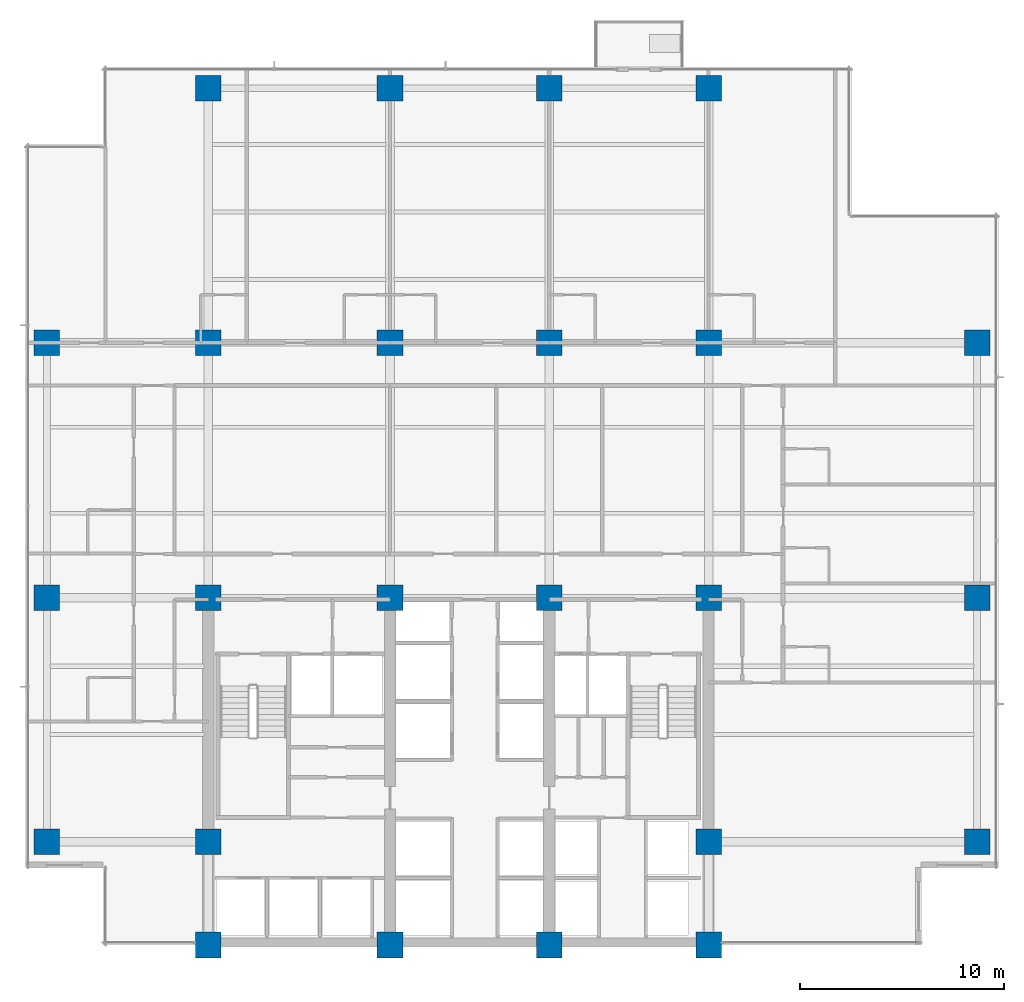
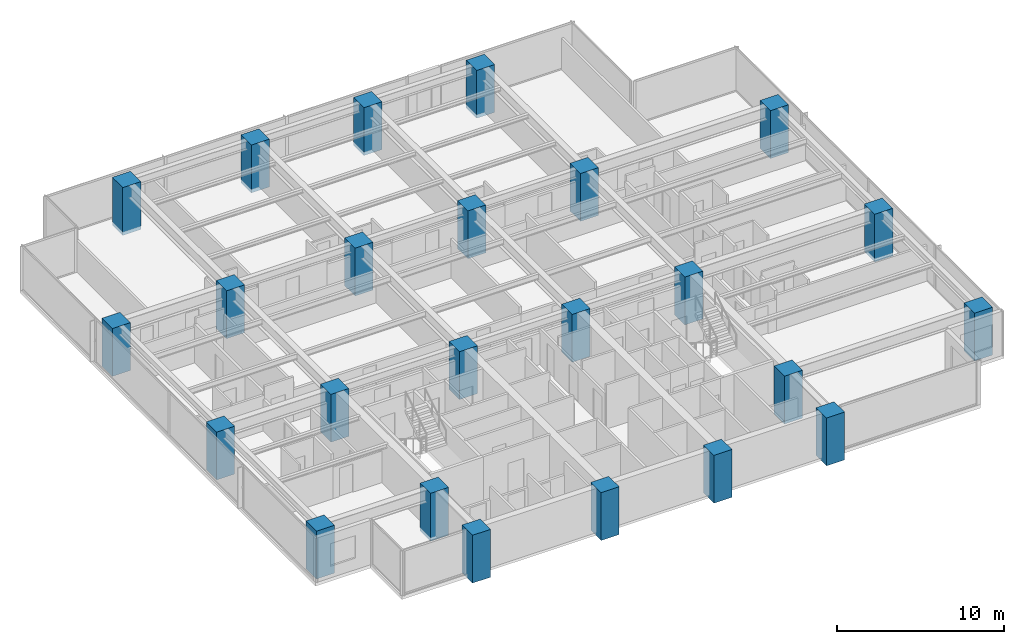
# One storey, part 1 of 17: 24 columns.
"""IFC4 building model written with IfcOpenShell, lengths in metres."""

from ifc_helpers import new_model, si_unit, direction, frame, origin, origin_2d, place, context, subcontext, project, spatial, rectangle, extrude, material, material_profile, profile_set, type_object, element, save


model = new_model("IFC4")

# Units and contexts
model_context = context("Model", 3, precision=1e-05, world=origin(), true_north=direction((0.0, 1.0)))
body_context = subcontext(model_context, "Body", "Model", "MODEL_VIEW")
ifc_project = project(units=[si_unit("LENGTHUNIT", "METRE"), si_unit("AREAUNIT", "SQUARE_METRE"), si_unit("VOLUMEUNIT", "CUBIC_METRE"), si_unit("PLANEANGLEUNIT", "RADIAN"), si_unit("MASSUNIT", "GRAM", prefix="KILO")], contexts=[model_context])

# Site, building, storey
site_placement = place(None, origin())
site = spatial("IfcSite", under=ifc_project, at=site_placement, CompositionType="ELEMENT")
building_placement = place(site_placement, origin())
building = spatial("IfcBuilding", under=site, at=building_placement, Name="Qalmaran Belvedere Hotel", CompositionType="ELEMENT")
storey_placement = place(building_placement, frame((0.0, 0.0, 88.199951171875)))
storey = spatial("IfcBuildingStorey", under=building, at=storey_placement, Name="L21", CompositionType="ELEMENT", Elevation=88.199951171875)

# Columns
ifc_material = material(Name="Concrete C60/75", Category="concrete")
ifc_material_profile = material_profile(ifc_material, rectangle(XDim=1.25, YDim=1.25, at=origin_2d()), Name="CC1250X1250")
ifc_profile_set = profile_set([ifc_material_profile], Name="Concrete C60/75")
column_type = type_object("IfcColumnType", Name="COL-Z2-CC1250", PredefinedType="COLUMN", material=ifc_profile_set)
for number, where, z_axis, x_axis, name in (
    (1, (20.300048828125, 3.5, -0.260009765625), (0.0, 0.0, 1.0), (1.0, 0.0, 0.0), "L21 Column C4B"),
    (2, (29.199951171875, 3.5, -0.260009765625), (0.0, 0.0, 1.0), (1.0, 0.0, 0.0), "L21 Column C5B"),
    (3, (37.0, 3.5, -0.260009765625), (0.0, 0.0, 1.0), (1.0, 0.0, 0.0), "L21 Column C6B"),
    (4, (44.800048828125, 3.5, -0.260009765625), (0.0, 0.0, 1.0), (1.0, 0.0, 0.0), "L21 Column C7B"),
    (5, (20.300048828125, 8.550048828125, -0.260009765625), (0.0, 0.0, 1.0), (1.0, 0.0, 0.0), "L21 Column C4C"),
    (6, (44.800048828125, 8.550048828125, -0.260009765625), (0.0, 0.0, 1.0), (1.0, 0.0, 0.0), "L21 Column C7C"),
    (7, (20.300048828125, 20.5, -0.260009765625), (0.0, 0.0, 1.0), (1.0, 0.0, 0.0), "L21 Column C4D"),
    (8, (29.199951171875, 20.5, -0.260009765625), (0.0, 0.0, 1.0), (1.0, 0.0, 0.0), "L21 Column C5D"),
    (9, (37.0, 20.5, -0.260009765625), (0.0, 0.0, 1.0), (1.0, 0.0, 0.0), "L21 Column C6D"),
    (10, (44.800048828125, 20.5, -0.260009765625), (0.0, 0.0, 1.0), (1.0, 0.0, 0.0), "L21 Column C7D"),
    (11, (20.300048828125, 33.0, -0.260009765625), (0.0, 0.0, 1.0), (1.0, 0.0, 0.0), "L21 Column C4F"),
    (12, (29.199951171875, 33.0, -0.260009765625), (0.0, 0.0, 1.0), (1.0, 0.0, 0.0), "L21 Column C5F"),
    (13, (37.0, 33.0, -0.260009765625), (0.0, 0.0, 1.0), (1.0, 0.0, 0.0), "L21 Column C6F"),
    (14, (44.800048828125, 33.0, -0.260009765625), (0.0, 0.0, 1.0), (1.0, 0.0, 0.0), "L21 Column C7F"),
    (15, (12.39990234375, 8.550048828125, -0.260009765625), (0.0, 0.0, 1.0), (1.0, 0.0, 0.0), "L21 Column CW1"),
    (16, (12.39990234375, 20.5, -0.260009765625), (0.0, 0.0, 1.0), (1.0, 0.0, 0.0), "L21 Column CW3"),
    (17, (12.39990234375, 33.0, -0.260009765625), (0.0, 0.0, 1.0), (1.0, 0.0, 0.0), "L21 Column CW4"),
    (18, (57.949951171875, 8.550048828125, -0.260009765625), (0.0, 0.0, 1.0), (1.0, 0.0, 0.0), "L21 Column CE1"),
    (19, (57.949951171875, 20.5, -0.260009765625), (0.0, 0.0, 1.0), (1.0, 0.0, 0.0), "L21 Column CE3"),
    (20, (57.949951171875, 33.0, -0.260009765625), (0.0, 0.0, 1.0), (1.0, 0.0, 0.0), "L21 Column CE4"),
    (21, (20.300048828125, 45.449951171875, -0.260009765625), (0.0, 0.0, 1.0), (1.0, 0.0, 0.0), "L21 Column CN1"),
    (22, (29.199951171875, 45.449951171875, -0.260009765625), (0.0, 0.0, 1.0), (1.0, 0.0, 0.0), "L21 Column CN2"),
    (23, (37.0, 45.449951171875, -0.260009765625), (0.0, 0.0, 1.0), (1.0, 0.0, 0.0), "L21 Column CN3"),
    (24, (44.800048828125, 45.449951171875, -0.260009765625), (0.0, 0.0, 1.0), (1.0, 0.0, 0.0), "L21 Column CN4"),
):
    element("IfcColumn", number, at=place(storey_placement, frame(where, z_axis=z_axis, x_axis=x_axis)), inside=storey, type_object=column_type, Name=name, PredefinedType="COLUMN", context=body_context, shape_type="SweptSolid", body=[
        extrude(rectangle(XDim=1.25, YDim=1.25, at=origin_2d()), origin(), (0.0, 0.0, 1.0), 3.5),
    ])

save(model, "model.ifc")
